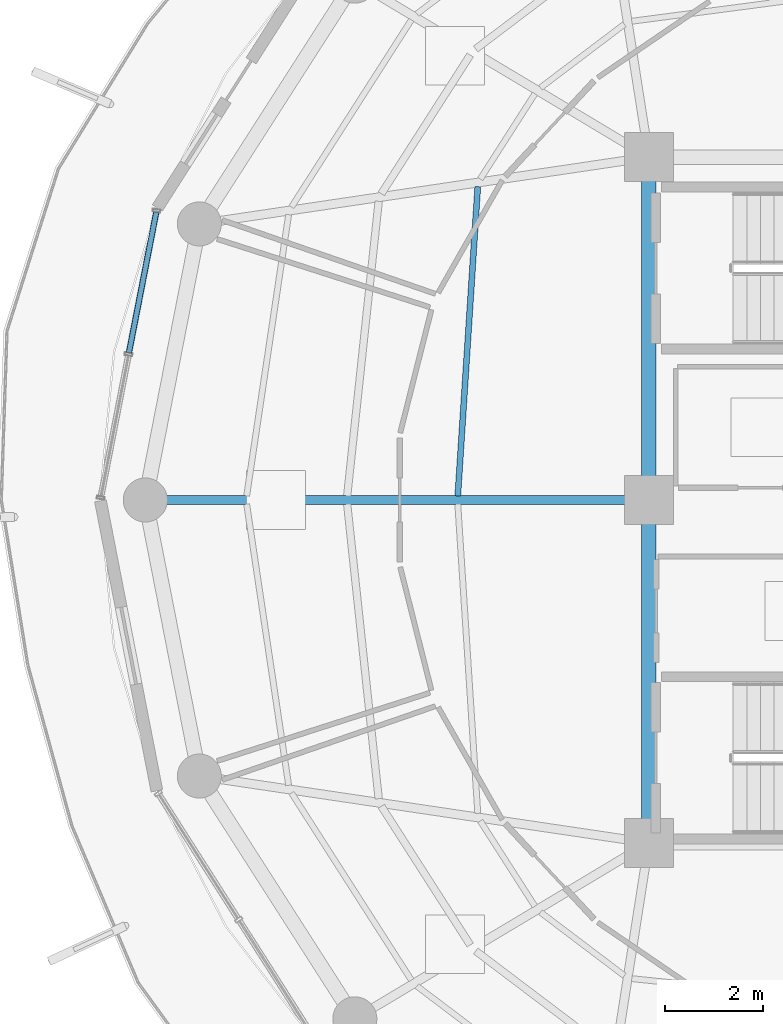
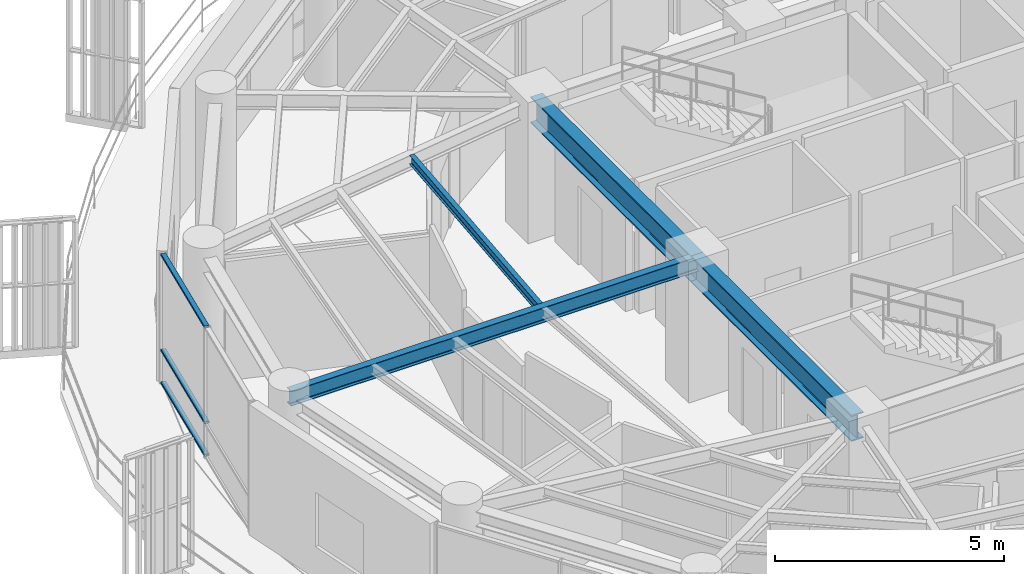
# One storey, part 7 of 23: 4 beams, 3 members, 1 element without a shape of its own.
"""IFC4 building model written with IfcOpenShell, lengths in metres."""

from ifc_helpers import new_model, si_unit, direction, frame, origin, origin_2d, place, context, subcontext, project, spatial, hollow_rectangle, i_section, extrude, material, layer, layer_set, material_profile, profile_set, type_object, element, aggregate, save


model = new_model("IFC4")

# Units and contexts
model_context = context("Model", 3, precision=1e-05, world=origin(), true_north=direction((0.0, 1.0)))
body_context = subcontext(model_context, "Body", "Model", "MODEL_VIEW")
ifc_project = project(units=[si_unit("LENGTHUNIT", "METRE"), si_unit("AREAUNIT", "SQUARE_METRE"), si_unit("VOLUMEUNIT", "CUBIC_METRE"), si_unit("PLANEANGLEUNIT", "RADIAN"), si_unit("MASSUNIT", "GRAM", prefix="KILO")], contexts=[model_context])

# Site, building, storey
site_placement = place(None, origin())
site = spatial("IfcSite", under=ifc_project, at=site_placement, CompositionType="ELEMENT")
building_placement = place(site_placement, origin())
building = spatial("IfcBuilding", under=site, at=building_placement, Name="Kelanora Arch Commons", CompositionType="ELEMENT")
storey_placement = place(building_placement, frame((0.0, 0.0, 252.449951171875)))
storey = spatial("IfcBuildingStorey", under=building, at=storey_placement, Name="L64", CompositionType="ELEMENT", Elevation=252.449951171875)

# Beams
ifc_material_1 = material(Name="Steel S355", Category="steel")
ifc_material_profile_1 = material_profile(ifc_material_1, i_section(OverallWidth=0.300048828125, OverallDepth=0.699951171875, WebThickness=0.01708984375, FlangeThickness=0.031982421875, FilletRadius=0.027099609375, at=origin_2d()), Name="HEB700")
ifc_profile_set_1 = profile_set([ifc_material_profile_1], Name="Steel S355")
beam_type_1 = type_object("IfcBeamType", Name="BM-CORE-HDR", PredefinedType="BEAM", material=ifc_profile_set_1)
for number, where, z_axis, x_axis, name in (
    (1, (66.0, 65.0, 3.14013671875), (0.0, -1.0, 0.0), (1.0, 0.0, 0.0), "Core Header Beam 08 L64"),
    (2, (66.0, 58.0, 3.14013671875), (0.0, -1.0, 0.0), (1.0, 0.0, 0.0), "Core Header Beam 09 L64"),
):
    element("IfcBeam", number, at=place(storey_placement, frame(where, z_axis=z_axis, x_axis=x_axis)), inside=storey, type_object=beam_type_1, Name=name, PredefinedType="BEAM", context=body_context, shape_type="SweptSolid", body=[
        extrude(i_section(OverallWidth=0.300048828125, OverallDepth=0.699951171875, WebThickness=0.01708984375, FlangeThickness=0.031982421875, FilletRadius=0.027099609375, at=origin_2d()), origin(), (0.0, 0.0, 1.0), 7.0),
    ])
ifc_material_profile_2 = material_profile(ifc_material_1, i_section(OverallWidth=0.1201171875, OverallDepth=0.239990234375, WebThickness=0.006103515625, FlangeThickness=0.009765625, FilletRadius=0.014892578125, at=origin_2d()), Name="IPE240")
ifc_profile_set_2 = profile_set([ifc_material_profile_2], Name="Steel S355")
beam_type_2 = type_object("IfcBeamType", Name="BM-JST-02", PredefinedType="JOIST", material=ifc_profile_set_2)
beam_1_placement = place(storey_placement, frame((62.507080078125, 64.39697265625, 3.3701171875), z_axis=(-0.064495107978, -0.99791802321, 0.0), x_axis=(0.99791802321, -0.064495107978, 0.0)))
element("IfcBeam", 3, at=beam_1_placement, inside=storey, type_object=beam_type_2, Name="Secondary Chord Joist BJA-16 L64", PredefinedType="JOIST", context=body_context, shape_type="SweptSolid", body=[
    extrude(i_section(OverallWidth=0.1201171875, OverallDepth=0.239990234375, WebThickness=0.006103515625, FlangeThickness=0.009765625, FilletRadius=0.014892578125, at=origin_2d()), origin(), (0.0, 0.0, 1.0), 6.325439453125),
])
ifc_material_profile_3 = material_profile(ifc_material_1, i_section(OverallWidth=0.179931640625, OverallDepth=0.39990234375, WebThickness=0.008544921875, FlangeThickness=0.013427734375, FilletRadius=0.02099609375, at=origin_2d()), Name="IPE400")
ifc_profile_set_3 = profile_set([ifc_material_profile_3], Name="Steel S355")
beam_type_3 = type_object("IfcBeamType", Name="BM-RAD-Z5", PredefinedType="BEAM", material=ifc_profile_set_3)
beam_2_placement = place(storey_placement, frame((66.0, 58.0, 3.2900390625), z_axis=(-1.0, 0.0, 0.0), x_axis=(0.0, -1.0, 0.0)))
element("IfcBeam", 4, at=beam_2_placement, inside=storey, type_object=beam_type_3, Name="Radial Floor Girder BR-18 L64", PredefinedType="BEAM", context=body_context, shape_type="SweptSolid", body=[
    extrude(i_section(OverallWidth=0.179931640625, OverallDepth=0.39990234375, WebThickness=0.008544921875, FlangeThickness=0.013427734375, FilletRadius=0.02099609375, at=origin_2d()), origin(), (0.0, 0.0, 1.0), 10.280029296875),
])

# Curtain wall, members
ifc_material_2 = material(Name="Terracotta ceramic-fritted low-E glass and aluminium", Category="masonry")
ifc_layer = layer(ifc_material_2, 0.18994140625)
ifc_layer_set = layer_set([ifc_layer], Name="Terracotta ceramic-fritted low-E glass and aluminium")
curtain_wall_type = type_object("IfcCurtainWallType", Name="CW-SYS-03", PredefinedType="NOTDEFINED", material=ifc_layer_set)
curtain_wall_placement = place(storey_placement, origin())
curtain_wall = element("IfcCurtainWall", 5, at=curtain_wall_placement, inside=storey, type_object=curtain_wall_type, Name="Unitised Curtain Wall L64-B08", PredefinedType="NOTDEFINED")
ifc_material_3 = material(Name="Powder-coated aluminium terracotta", Category="masonry")
ifc_material_profile_4 = material_profile(ifc_material_3, hollow_rectangle(XDim=0.1201171875, YDim=0.06005859375, WallThickness=0.0048828125, InnerFilletRadius=0.0048828125, OuterFilletRadius=0.010009765625, at=origin_2d()), Name="CWT120x60")
ifc_profile_set_4 = profile_set([ifc_material_profile_4], Name="Powder-coated aluminium terracotta")
member_type = type_object("IfcMemberType", Name="CWT-STD", PredefinedType="USERDEFINED", material=ifc_profile_set_4)
member_1_placement = place(storey_placement, frame((55.943603515625, 63.877685546875, 0.030029296875), z_axis=(-0.190963443354, -0.981597149192, 0.0), x_axis=(0.981597149192, -0.190963443354, 0.0)))
member_1 = element("IfcMember", 6, at=member_1_placement, type_object=member_type, Name="CW-03 transom 1.1", ObjectType="TRANSOM", PredefinedType="USERDEFINED", context=body_context, shape_type="SweptSolid", body=[
    extrude(hollow_rectangle(XDim=0.1201171875, YDim=0.06005859375, WallThickness=0.0048828125, InnerFilletRadius=0.0048828125, OuterFilletRadius=0.010009765625, at=origin_2d()), origin(), (0.0, 0.0, 1.0), 2.926513671875),
])
member_2_placement = place(storey_placement, frame((55.943603515625, 63.877685546875, 0.900146484375), z_axis=(-0.190963443354, -0.981597149192, 0.0), x_axis=(0.981597149192, -0.190963443354, 0.0)))
member_2 = element("IfcMember", 7, at=member_2_placement, type_object=member_type, Name="CW-03 transom 1.2", ObjectType="TRANSOM", PredefinedType="USERDEFINED", context=body_context, shape_type="SweptSolid", body=[
    extrude(hollow_rectangle(XDim=0.1201171875, YDim=0.06005859375, WallThickness=0.0048828125, InnerFilletRadius=0.0048828125, OuterFilletRadius=0.010009765625, at=origin_2d()), origin(), (0.0, 0.0, 1.0), 2.926513671875),
])
member_3_placement = place(storey_placement, frame((55.943603515625, 63.877685546875, 3.445068359375), z_axis=(-0.190963443354, -0.981597149192, 0.0), x_axis=(0.981597149192, -0.190963443354, 0.0)))
member_3 = element("IfcMember", 8, at=member_3_placement, type_object=member_type, Name="CW-03 transom 1.3", ObjectType="TRANSOM", PredefinedType="USERDEFINED", context=body_context, shape_type="SweptSolid", body=[
    extrude(hollow_rectangle(XDim=0.1201171875, YDim=0.06005859375, WallThickness=0.0048828125, InnerFilletRadius=0.0048828125, OuterFilletRadius=0.010009765625, at=origin_2d()), origin(), (0.0, 0.0, 1.0), 2.926513671875),
])
aggregate(curtain_wall, [member_1, member_2, member_3])

save(model, "model.ifc")
